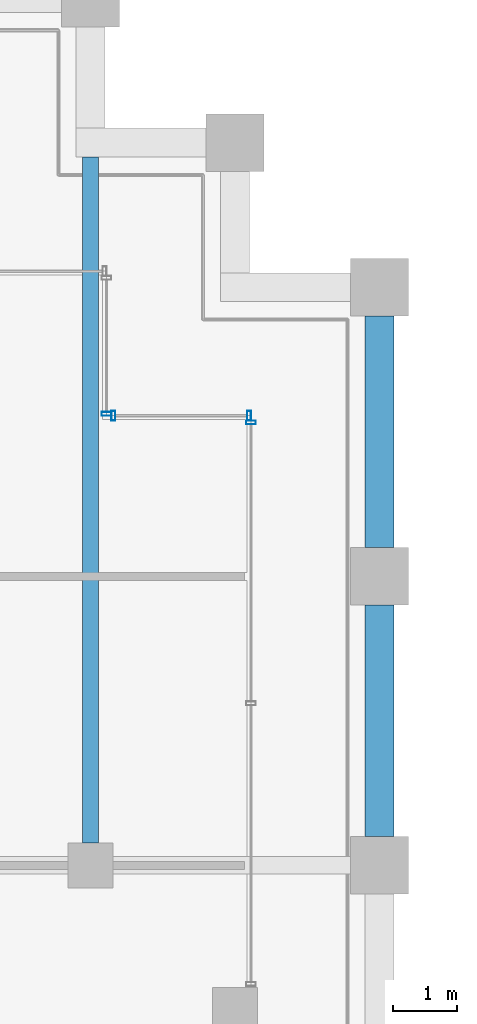
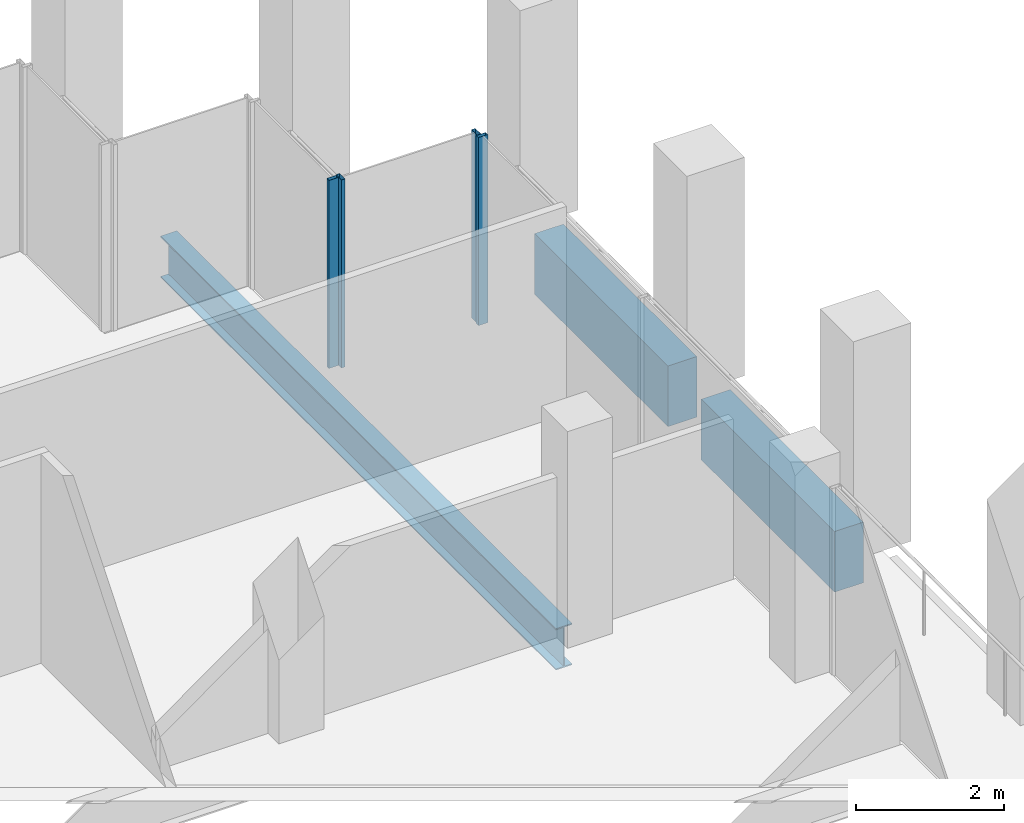
# One storey, part 25 of 40: 4 members, 3 beams, 3 elements without a shape of their own.
"""IFC4 building model written with IfcOpenShell, lengths in metres."""

from ifc_helpers import new_model, si_unit, direction, frame, origin, origin_2d, place, context, subcontext, project, spatial, rectangle, hollow_rectangle, i_section, extrude, material, material_profile, profile_set, type_object, element, aggregate, save


model = new_model("IFC4")

# Units and contexts
model_context = context("Model", 3, precision=1e-05, world=origin(), true_north=direction((0.0, 1.0)))
body_context = subcontext(model_context, "Body", "Model", "MODEL_VIEW")
ifc_project = project(units=[si_unit("LENGTHUNIT", "METRE"), si_unit("AREAUNIT", "SQUARE_METRE"), si_unit("VOLUMEUNIT", "CUBIC_METRE"), si_unit("PLANEANGLEUNIT", "RADIAN"), si_unit("MASSUNIT", "GRAM", prefix="KILO")], contexts=[model_context])

# Site, building, storey
site_placement = place(None, origin())
site = spatial("IfcSite", under=ifc_project, at=site_placement, CompositionType="ELEMENT")
building_placement = place(site_placement, origin())
building = spatial("IfcBuilding", under=site, at=building_placement, Name="Altepetl Exchange Towers", CompositionType="ELEMENT")
storey_placement = place(building_placement, frame((0.0, 0.0, 179.800048828125)))
storey = spatial("IfcBuildingStorey", under=building, at=storey_placement, Name="L45", CompositionType="ELEMENT", Elevation=179.800048828125)

# Beam
ifc_material_1 = material(Name="Steel S355", Category="steel")
ifc_material_profile_1 = material_profile(ifc_material_1, i_section(OverallWidth=0.25390625, OverallDepth=0.68408203125, WebThickness=0.012451171875, FlangeThickness=0.018798828125, at=origin_2d()), Name="W27X94")
ifc_profile_set_1 = profile_set([ifc_material_profile_1], Name="Steel S355")
beam_type_1 = type_object("IfcBeamType", Name="Floor beam W27X94", PredefinedType="BEAM", material=ifc_profile_set_1)
beam_placement = place(storey_placement, frame((67.5, 58.85009765625, -0.491943359375), z_axis=(0.0, 1.0, 0.0), x_axis=(-1.0, 0.0, 0.0)))
element("IfcBeam", 1, at=beam_placement, inside=storey, type_object=beam_type_1, Name="bm:A:L45:005", PredefinedType="BEAM", context=body_context, shape_type="SweptSolid", body=[
    extrude(i_section(OverallWidth=0.25390625, OverallDepth=0.68408203125, WebThickness=0.012451171875, FlangeThickness=0.018798828125, at=origin_2d()), origin(), (0.0, 0.0, 1.0), 10.6748046875),
])

# Curtain wall, member
ifc_material_2 = material(Name="Aluminium 6063-T6 glazing", Category="aluminium")
curtain_wall_type = type_object("IfcCurtainWallType", Name="Loggia glazing system", PredefinedType="NOTDEFINED", material=ifc_material_2)
curtain_wall_1_placement = place(storey_placement, origin())
curtain_wall_1 = element("IfcCurtainWall", 2, at=curtain_wall_1_placement, inside=storey, type_object=curtain_wall_type, Name="CW1 run", PredefinedType="NOTDEFINED")
ifc_material_3 = material(Name="Aluminium 6063-T6", Category="aluminium")
ifc_material_profile_2 = material_profile(ifc_material_3, hollow_rectangle(XDim=0.06005859375, YDim=0.14990234375, WallThickness=0.0029296875, at=origin_2d()), Name="Mullion 60x150 aluminium")
ifc_profile_set_2 = profile_set([ifc_material_profile_2], Name="Aluminium 6063-T6")
member_type = type_object("IfcMemberType", Name="Mullion 60x150 aluminium", PredefinedType="MULLION", material=ifc_profile_set_2)
member_1_placement = place(storey_placement, frame((70.0, 65.39501953125, 0.0), z_axis=(0.0, 0.0, 1.0), x_axis=(0.0, 1.0, 0.0)))
member_1 = element("IfcMember", 3, at=member_1_placement, type_object=member_type, Name="MU1 mullion", PredefinedType="MULLION", context=body_context, shape_type="SweptSolid", body=[
    extrude(hollow_rectangle(XDim=0.06005859375, YDim=0.14990234375, WallThickness=0.0029296875, at=origin_2d()), origin(), (0.0, 0.0, 1.0), 3.099853515625),
])
aggregate(curtain_wall_1, [member_1])

# Curtain wall, members
curtain_wall_2_placement = place(storey_placement, origin())
curtain_wall_2 = element("IfcCurtainWall", 4, at=curtain_wall_2_placement, inside=storey, type_object=curtain_wall_type, Name="CW1 run", PredefinedType="NOTDEFINED")
member_2_placement = place(storey_placement, frame((69.969970703125, 65.5, 0.0), z_axis=(0.0, 0.0, 1.0), x_axis=(-1.0, 0.0, 0.0)))
member_2 = element("IfcMember", 5, at=member_2_placement, type_object=member_type, Name="MU1 mullion", PredefinedType="MULLION", context=body_context, shape_type="SweptSolid", body=[
    extrude(hollow_rectangle(XDim=0.06005859375, YDim=0.14990234375, WallThickness=0.0029296875, at=origin_2d()), origin(), (0.0, 0.0, 1.0), 3.099853515625),
])
member_3_placement = place(storey_placement, frame((67.85498046875, 65.5, 0.0), z_axis=(0.0, 0.0, 1.0), x_axis=(-1.0, 0.0, 0.0)))
member_3 = element("IfcMember", 6, at=member_3_placement, type_object=member_type, Name="MU1 mullion", PredefinedType="MULLION", context=body_context, shape_type="SweptSolid", body=[
    extrude(hollow_rectangle(XDim=0.06005859375, YDim=0.14990234375, WallThickness=0.0029296875, at=origin_2d()), origin(), (0.0, 0.0, 1.0), 3.099853515625),
])
aggregate(curtain_wall_2, [member_2, member_3])

# Curtain wall, member
curtain_wall_3_placement = place(storey_placement, origin())
curtain_wall_3 = element("IfcCurtainWall", 7, at=curtain_wall_3_placement, inside=storey, type_object=curtain_wall_type, Name="CW1 run", PredefinedType="NOTDEFINED")
member_4_placement = place(storey_placement, frame((67.75, 65.530029296875, 0.0), z_axis=(0.0, 0.0, 1.0), x_axis=(0.0, 1.0, 0.0)))
member_4 = element("IfcMember", 8, at=member_4_placement, type_object=member_type, Name="MU1 mullion", PredefinedType="MULLION", context=body_context, shape_type="SweptSolid", body=[
    extrude(hollow_rectangle(XDim=0.06005859375, YDim=0.14990234375, WallThickness=0.0029296875, at=origin_2d()), origin(), (0.0, 0.0, 1.0), 3.099853515625),
])
aggregate(curtain_wall_3, [member_4])

# Beams
ifc_material_4 = material(Name="Concrete C50/60 precast with cantera rosa facing", Category="concrete")
ifc_material_profile_3 = material_profile(ifc_material_4, rectangle(XDim=0.449951171875, YDim=1.0, at=origin_2d()), Name="450 x 1000")
ifc_profile_set_3 = profile_set([ifc_material_profile_3], Name="Concrete C50/60 precast with cantera rosa facing")
beam_type_2 = type_object("IfcBeamType", Name="Spandrel beam 450x1000 cantera rosa", PredefinedType="SPANDREL", material=ifc_profile_set_3)
for number, where, z_axis, x_axis, name in (
    (9, (72.0, 58.949951171875, -0.650146484375), (0.0, 1.0, 0.0), (-1.0, 0.0, 0.0), "sp:A:L45:018"),
    (10, (72.0, 63.449951171875, -0.650146484375), (0.0, 1.0, 0.0), (-1.0, 0.0, 0.0), "sp:A:L45:019"),
):
    element("IfcBeam", number, at=place(storey_placement, frame(where, z_axis=z_axis, x_axis=x_axis)), inside=storey, type_object=beam_type_2, Name=name, PredefinedType="SPANDREL", context=body_context, shape_type="SweptSolid", body=[
        extrude(rectangle(XDim=0.449951171875, YDim=1.0, at=origin_2d()), origin(), (0.0, 0.0, 1.0), 3.60009765625),
    ])

save(model, "model.ifc")
